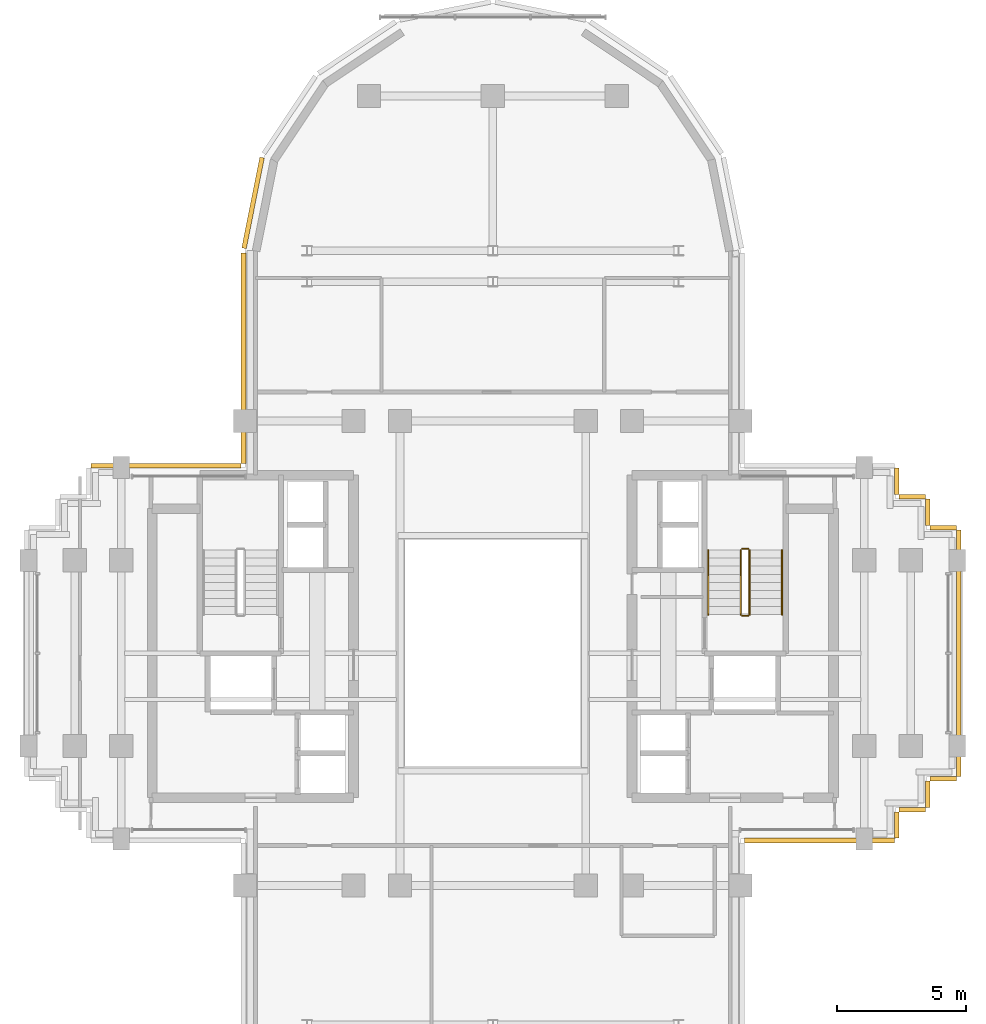
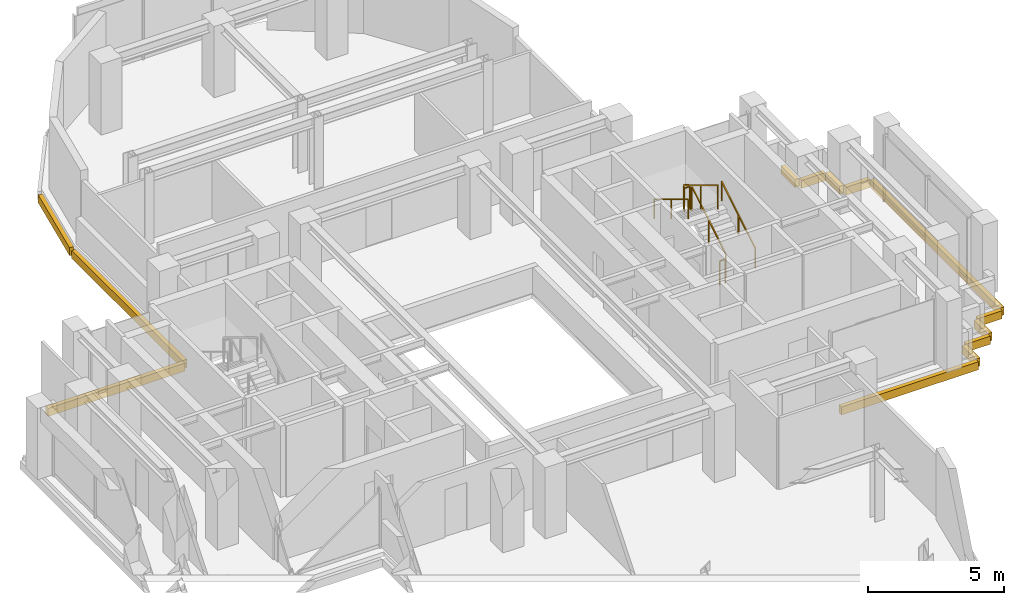
# One storey, part 10 of 11: 13 coverings, 6 railings.
"""IFC4 building model written with IfcOpenShell, lengths in metres."""

from ifc_helpers import new_model, si_unit, direction, frame, origin, origin_2d, place, context, subcontext, project, spatial, rectangle, extrude, source, transform, mapped, material, layer, layer_set, type_object, element, save


model = new_model("IFC4")

# Units and contexts
model_context = context("Model", 3, precision=1e-05, world=origin(), true_north=direction((0.0, 1.0)))
body_context = subcontext(model_context, "Body", "Model", "MODEL_VIEW")
ifc_project = project(units=[si_unit("LENGTHUNIT", "METRE"), si_unit("AREAUNIT", "SQUARE_METRE"), si_unit("VOLUMEUNIT", "CUBIC_METRE"), si_unit("PLANEANGLEUNIT", "RADIAN"), si_unit("MASSUNIT", "GRAM", prefix="KILO")], contexts=[model_context])

# Site, building, storey
site_placement = place(None, origin())
site = spatial("IfcSite", under=ifc_project, at=site_placement, CompositionType="ELEMENT")
building_placement = place(site_placement, origin())
building = spatial("IfcBuilding", under=site, at=building_placement, Name="Keilestroom Media Tower", CompositionType="ELEMENT")
storey_placement = place(building_placement, frame((0.0, 0.0, 174.0)))
storey = spatial("IfcBuildingStorey", under=building, at=storey_placement, Name="L47", CompositionType="ELEMENT", Elevation=174.0)

# Railings
ifc_material_1 = material(Name="Brushed Stainless Steel 1.4301", Category="steel")
railing_type_1 = type_object("IfcRailingType", Name="Stair-Pitch-Handrail-920", PredefinedType="HANDRAIL", material=ifc_material_1)
railing_1_placement = place(storey_placement, frame((11.2099609375, 1.5, 0.18896484375)))
element("IfcRailing", 1, at=railing_1_placement, inside=storey, type_object=railing_type_1, Name="L47 ST-2 stair handrail 1", PredefinedType="HANDRAIL", context=body_context, shape_type="SweptSolid", body=[
    extrude(rectangle(XDim=0.048095703125, YDim=0.048095703125, at=origin_2d()), frame((0.0, 0.0, 0.8759765625), z_axis=(0.0, 0.855470815493, 0.517851024754), x_axis=(-1.0, 0.0, 0.0)), (0.0, 0.0, 1.0), 2.917724609375),
    extrude(rectangle(XDim=0.0419921875, YDim=0.0419921875, at=origin_2d()), origin(), (0.0, 0.0, 1.0), 0.84375),
    extrude(rectangle(XDim=0.0419921875, YDim=0.0419921875, at=origin_2d()), frame((0.0, 1.248046875, 0.75537109375)), (0.0, 0.0, 1.0), 0.84375),
    extrude(rectangle(XDim=0.0419921875, YDim=0.0419921875, at=origin_2d()), frame((0.0, 2.49609375, 1.510986328125)), (0.0, 0.0, 1.0), 0.84375),
])
railing_2_placement = place(storey_placement, frame((8.35009765625, 3.99609375, 1.888916015625)))
element("IfcRailing", 2, at=railing_2_placement, inside=storey, type_object=railing_type_1, Name="L47 ST-2 stair handrail 2", PredefinedType="HANDRAIL", context=body_context, shape_type="SweptSolid", body=[
    extrude(rectangle(XDim=0.048095703125, YDim=0.048095703125, at=origin_2d()), frame((0.0, 0.0, 0.8759765625), z_axis=(0.0, -0.855470815493, 0.517851024754), x_axis=(1.0, 0.0, 0.0)), (0.0, 0.0, 1.0), 2.917724609375),
    extrude(rectangle(XDim=0.0419921875, YDim=0.0419921875, at=origin_2d()), origin(), (0.0, 0.0, 1.0), 0.84375),
    extrude(rectangle(XDim=0.0419921875, YDim=0.0419921875, at=origin_2d()), frame((0.0, -1.248046875, 0.75537109375)), (0.0, 0.0, 1.0), 0.84375),
    extrude(rectangle(XDim=0.0419921875, YDim=0.0419921875, at=origin_2d()), frame((0.0, -2.49609375, 1.510986328125)), (0.0, 0.0, 1.0), 0.84375),
])
ifc_material_2 = material(Name="Painted Steel Balustrade", Category="steel")
railing_type_2 = type_object("IfcRailingType", Name="Stair-Well-And-Landing-Guard-1100", PredefinedType="GUARDRAIL", material=ifc_material_2)
railing_3_placement = place(storey_placement, frame((9.949951171875, 1.5, 0.18896484375)))
element("IfcRailing", 3, at=railing_3_placement, inside=storey, type_object=railing_type_2, Name="L47 ST-2 stair guard 1", PredefinedType="GUARDRAIL", context=body_context, shape_type="SweptSolid", body=[
    extrude(rectangle(XDim=0.048095703125, YDim=0.048095703125, at=origin_2d()), frame((0.0, 0.0, 1.076171875), z_axis=(0.0, 0.855470815493, 0.517851024754), x_axis=(-1.0, 0.0, 0.0)), (0.0, 0.0, 1.0), 2.917724609375),
    extrude(rectangle(XDim=0.0419921875, YDim=0.0419921875, at=origin_2d()), origin(), (0.0, 0.0, 1.0), 1.0439453125),
    extrude(rectangle(XDim=0.0419921875, YDim=0.0419921875, at=origin_2d()), frame((0.0, 1.248046875, 0.75537109375)), (0.0, 0.0, 1.0), 1.0439453125),
    extrude(rectangle(XDim=0.0419921875, YDim=0.0419921875, at=origin_2d()), frame((0.0, 2.49609375, 1.510986328125)), (0.0, 0.0, 1.0), 1.0439453125),
])
railing_4_placement = place(storey_placement, frame((9.89990234375, 4.0458984375, 1.699951171875)))
element("IfcRailing", 4, at=railing_4_placement, inside=storey, type_object=railing_type_2, Name="L47 ST-2 stair guard 2", PredefinedType="GUARDRAIL", context=body_context, shape_type="SweptSolid", body=[
    extrude(rectangle(XDim=0.048095703125, YDim=0.048095703125, at=origin_2d()), frame((0.0, 0.0, 1.076171875), z_axis=(-1.0, 0.0, 0.0), x_axis=(0.0, -1.0, 0.0)), (0.0, 0.0, 1.0), 0.239990234375),
    extrude(rectangle(XDim=0.0419921875, YDim=0.0419921875, at=origin_2d()), origin(), (0.0, 0.0, 1.0), 1.0439453125),
    extrude(rectangle(XDim=0.0419921875, YDim=0.0419921875, at=origin_2d()), frame((-0.239990234375, 0.0, 0.0)), (0.0, 0.0, 1.0), 1.0439453125),
])
railing_5_placement = place(storey_placement, frame((9.610107421875, 3.99609375, 1.888916015625)))
element("IfcRailing", 5, at=railing_5_placement, inside=storey, type_object=railing_type_2, Name="L47 ST-2 stair guard 3", PredefinedType="GUARDRAIL", context=body_context, shape_type="SweptSolid", body=[
    extrude(rectangle(XDim=0.048095703125, YDim=0.048095703125, at=origin_2d()), frame((0.0, 0.0, 1.076171875), z_axis=(0.0, -0.855470815493, 0.517851024754), x_axis=(1.0, 0.0, 0.0)), (0.0, 0.0, 1.0), 2.917724609375),
    extrude(rectangle(XDim=0.0419921875, YDim=0.0419921875, at=origin_2d()), origin(), (0.0, 0.0, 1.0), 1.0439453125),
    extrude(rectangle(XDim=0.0419921875, YDim=0.0419921875, at=origin_2d()), frame((0.0, -1.248046875, 0.75537109375)), (0.0, 0.0, 1.0), 1.0439453125),
    extrude(rectangle(XDim=0.0419921875, YDim=0.0419921875, at=origin_2d()), frame((0.0, -2.49609375, 1.510986328125)), (0.0, 0.0, 1.0), 1.0439453125),
])
railing_6_placement = place(storey_placement, frame((9.89990234375, 1.449951171875, 0.0)))
element("IfcRailing", 6, at=railing_6_placement, inside=storey, type_object=railing_type_2, Name="L47 ST-2 stair guard 4", PredefinedType="GUARDRAIL", context=body_context, shape_type="SweptSolid", body=[
    extrude(rectangle(XDim=0.048095703125, YDim=0.048095703125, at=origin_2d()), frame((0.0, 0.0, 1.076171875), z_axis=(-1.0, 0.0, 0.0), x_axis=(0.0, -1.0, 0.0)), (0.0, 0.0, 1.0), 0.239990234375),
    extrude(rectangle(XDim=0.0419921875, YDim=0.0419921875, at=origin_2d()), origin(), (0.0, 0.0, 1.0), 1.0439453125),
    extrude(rectangle(XDim=0.0419921875, YDim=0.0419921875, at=origin_2d()), frame((-0.239990234375, 0.0, 0.0)), (0.0, 0.0, 1.0), 1.0439453125),
])

# Coverings
ifc_material_3 = material(Name="Precast concrete C40/50", Category="concrete")
ifc_layer = layer(ifc_material_3, 0.1201171875)
ifc_layer_set = layer_set([ifc_layer], Name="Precast concrete C40/50")
covering_type = type_object("IfcCoveringType", Name="Exterior-Precast-Spandrel-Cladding-Panel-120", PredefinedType="CLADDING", material=ifc_layer_set)
shared_shape_1 = source(origin(), body_context, "Body", "SweptSolid", [
    extrude(rectangle(XDim=1.02001953125, YDim=0.179931640625, at=origin_2d()), origin(), (0.0, 0.0, 1.0), 0.360107421875),
])
for number, where, z_axis, x_axis, name in (
    (7, (17.4599609375, -4.860107421875, -0.5400390625), (0.0, 0.0, 1.0), (-1.0, 0.0, 0.0), "L47 Precast Slab-Edge Fascia Cornice 01"),
    (8, (16.860107421875, -5.4599609375, -0.5400390625), (0.0, 0.0, 1.0), (0.0, -1.0, 0.0), "L47 Precast Slab-Edge Fascia Cornice 02"),
    (9, (16.260009765625, -6.06005859375, -0.5400390625), (0.0, 0.0, 1.0), (-1.0, 0.0, 0.0), "L47 Precast Slab-Edge Fascia Cornice 03"),
    (10, (15.659912109375, -6.659912109375, -0.5400390625), (0.0, 0.0, 1.0), (0.0, -1.0, 0.0), "L47 Precast Slab-Edge Fascia Cornice 04"),
    (11, (15.659912109375, 6.659912109375, -0.5400390625), (0.0, 0.0, 1.0), (0.0, -1.0, 0.0), "L47 Precast Slab-Edge Fascia Cornice 38"),
    (12, (16.260009765625, 6.06005859375, -0.5400390625), (0.0, 0.0, 1.0), (1.0, 0.0, 0.0), "L47 Precast Slab-Edge Fascia Cornice 39"),
    (13, (16.860107421875, 5.4599609375, -0.5400390625), (0.0, 0.0, 1.0), (0.0, -1.0, 0.0), "L47 Precast Slab-Edge Fascia Cornice 40"),
    (14, (17.4599609375, 4.860107421875, -0.5400390625), (0.0, 0.0, 1.0), (1.0, 0.0, 0.0), "L47 Precast Slab-Edge Fascia Cornice 41"),
):
    element("IfcCovering", number, at=place(storey_placement, frame(where, z_axis=z_axis, x_axis=x_axis)), inside=storey, type_object=covering_type, Name=name, PredefinedType="CLADDING", context=body_context, shape_type="MappedRepresentation", body=[
        mapped(shared_shape_1, transform((0.0, 0.0, 0.0), x_axis=(1.0, 0.0, 0.0), y_axis=(0.0, 1.0, 0.0), z_axis=(0.0, 0.0, 1.0), scale=1.0)),
    ])
shared_shape_2 = source(origin(), body_context, "Body", "SweptSolid", [
    extrude(rectangle(XDim=8.166015625, YDim=0.179931640625, at=origin_2d()), origin(), (0.0, 0.0, 1.0), 0.360107421875),
])
covering_1_placement = place(storey_placement, frame((-9.659912109375, 11.43310546875, -0.5400390625), z_axis=(0.0, 0.0, 1.0), x_axis=(0.0, 1.0, 0.0)))
element("IfcCovering", 15, at=covering_1_placement, inside=storey, type_object=covering_type, Name="L47 Precast Slab-Edge Fascia Cornice 27", PredefinedType="CLADDING", context=body_context, shape_type="MappedRepresentation", body=[
    mapped(shared_shape_2, transform((0.0, 0.0, 0.0), x_axis=(1.0, 0.0, 0.0), y_axis=(0.0, 1.0, 0.0), z_axis=(0.0, 0.0, 1.0), scale=1.0)),
])
shared_shape_3 = source(origin(), body_context, "Body", "SweptSolid", [
    extrude(rectangle(XDim=3.58349609375, YDim=0.179931640625, at=origin_2d()), origin(), (0.0, 0.0, 1.0), 0.360107421875),
])
covering_2_placement = place(storey_placement, frame((-9.29296875, 17.45166015625, -0.5400390625), z_axis=(0.0, 0.0, 1.0), x_axis=(0.195098880975, 0.980783577882, 0.0)))
element("IfcCovering", 16, at=covering_2_placement, inside=storey, type_object=covering_type, Name="L47 Precast Slab-Edge Fascia Cornice 28", PredefinedType="CLADDING", context=body_context, shape_type="MappedRepresentation", body=[
    mapped(shared_shape_3, transform((0.0, 0.0, 0.0), x_axis=(1.0, 0.0, 0.0), y_axis=(0.0, 1.0, 0.0), z_axis=(0.0, 0.0, 1.0), scale=1.0)),
])
shared_shape_4 = source(origin(), body_context, "Body", "SweptSolid", [
    extrude(rectangle(XDim=9.5400390625, YDim=0.179931640625, at=origin_2d()), origin(), (0.0, 0.0, 1.0), 0.360107421875),
])
covering_3_placement = place(storey_placement, frame((18.06005859375, 0.0, -0.5400390625), z_axis=(0.0, 0.0, 1.0), x_axis=(0.0, -1.0, 0.0)))
element("IfcCovering", 17, at=covering_3_placement, inside=storey, type_object=covering_type, Name="L47 Precast Slab-Edge Fascia Cornice 42", PredefinedType="CLADDING", context=body_context, shape_type="MappedRepresentation", body=[
    mapped(shared_shape_4, transform((0.0, 0.0, 0.0), x_axis=(1.0, 0.0, 0.0), y_axis=(0.0, 1.0, 0.0), z_axis=(0.0, 0.0, 1.0), scale=1.0)),
])
shared_shape_5 = source(origin(), body_context, "Body", "SweptSolid", [
    extrude(rectangle(XDim=5.820068359375, YDim=0.179931640625, at=origin_2d()), origin(), (0.0, 0.0, 1.0), 0.360107421875),
])
for number, where, z_axis, x_axis, name in (
    (18, (12.659912109375, -7.260009765625, -0.5400390625), (0.0, 0.0, 1.0), (-1.0, 0.0, 0.0), "L47 Precast Slab-Edge Fascia Cornice 05"),
    (19, (-12.659912109375, 7.260009765625, -0.5400390625), (0.0, 0.0, 1.0), (1.0, 0.0, 0.0), "L47 Precast Slab-Edge Fascia Cornice 26"),
):
    element("IfcCovering", number, at=place(storey_placement, frame(where, z_axis=z_axis, x_axis=x_axis)), inside=storey, type_object=covering_type, Name=name, PredefinedType="CLADDING", context=body_context, shape_type="MappedRepresentation", body=[
        mapped(shared_shape_5, transform((0.0, 0.0, 0.0), x_axis=(1.0, 0.0, 0.0), y_axis=(0.0, 1.0, 0.0), z_axis=(0.0, 0.0, 1.0), scale=1.0)),
    ])

save(model, "model.ifc")
